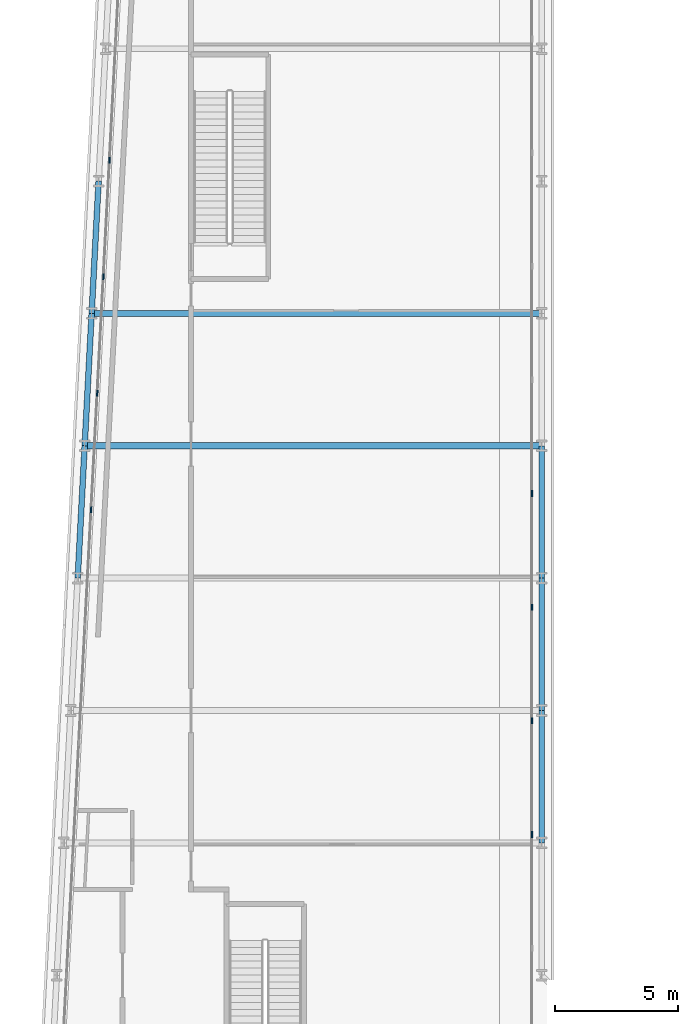
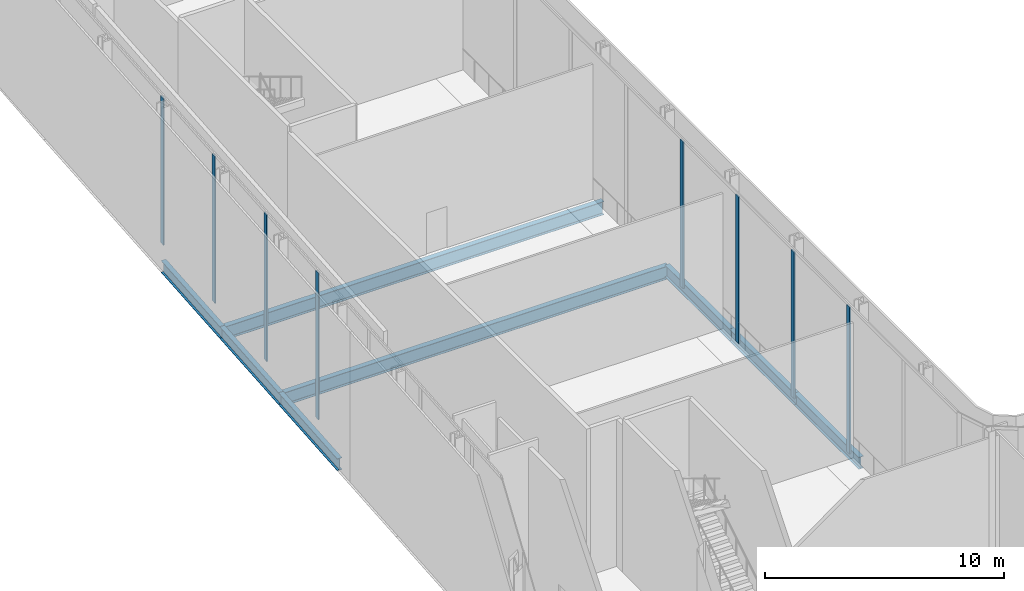
# One storey, part 12 of 36: 8 beams, 8 members, 2 elements without a shape of their own.
"""IFC4 building model written with IfcOpenShell, lengths in metres."""

from ifc_helpers import new_model, si_unit, direction, frame, origin, origin_2d, place, context, subcontext, project, spatial, rectangle, i_section, extrude, material, layer, layer_set, material_profile, profile_set, type_object, element, aggregate, save


model = new_model("IFC4")

# Units and contexts
model_context = context("Model", 3, precision=1e-05, world=origin(), true_north=direction((0.0, 1.0)))
body_context = subcontext(model_context, "Body", "Model", "MODEL_VIEW")
ifc_project = project(units=[si_unit("LENGTHUNIT", "METRE"), si_unit("AREAUNIT", "SQUARE_METRE"), si_unit("VOLUMEUNIT", "CUBIC_METRE"), si_unit("PLANEANGLEUNIT", "RADIAN"), si_unit("MASSUNIT", "GRAM", prefix="KILO")], contexts=[model_context])

# Site, building, storey
site_placement = place(None, origin())
site = spatial("IfcSite", under=ifc_project, at=site_placement, CompositionType="ELEMENT")
building_placement = place(site_placement, origin())
building = spatial("IfcBuilding", under=site, at=building_placement, Name="Kheshtan School and Residences Tower", CompositionType="ELEMENT")
storey_placement = place(building_placement, frame((0.0, 0.0, 81.199951171875)))
storey = spatial("IfcBuildingStorey", under=building, at=storey_placement, Name="L19", CompositionType="ELEMENT", Elevation=81.199951171875)

# Beams
ifc_material_1 = material(Name="Steel ASTM A992 Grade 50", Category="steel")
ifc_material_profile_1 = material_profile(ifc_material_1, i_section(OverallWidth=0.2529296875, OverallDepth=0.677978515625, WebThickness=0.01171875, FlangeThickness=0.016357421875, FilletRadius=0.0146484375, at=origin_2d()), Name="W690x125")
ifc_profile_set_1 = profile_set([ifc_material_profile_1], Name="Steel ASTM A992 Grade 50")
beam_type_1 = type_object("IfcBeamType", Name="Beam FB6 W690x125 ASTM A992 Grade 50", PredefinedType="BEAM", material=ifc_profile_set_1)
beam_1_placement = place(storey_placement, frame((47.60009765625, 72.60009765625, -0.489013671875), z_axis=(-1.0, 0.0, 0.0), x_axis=(0.0, -1.0, 0.0)))
element("IfcBeam", 1, at=beam_1_placement, inside=storey, type_object=beam_type_1, Name="Floor beam C087", PredefinedType="BEAM", context=body_context, shape_type="SweptSolid", body=[
    extrude(i_section(OverallWidth=0.2529296875, OverallDepth=0.677978515625, WebThickness=0.01171875, FlangeThickness=0.016357421875, FilletRadius=0.0146484375, at=origin_2d()), origin(), (0.0, 0.0, 1.0), 18.64208984375),
])
beam_2_placement = place(storey_placement, frame((29.242919921875, 78.0, -0.489013671875), z_axis=(1.0, 0.0, 0.0), x_axis=(0.0, 1.0, 0.0)))
element("IfcBeam", 2, at=beam_2_placement, inside=storey, type_object=beam_type_1, Name="Floor beam C088", PredefinedType="BEAM", context=body_context, shape_type="SweptSolid", body=[
    extrude(i_section(OverallWidth=0.2529296875, OverallDepth=0.677978515625, WebThickness=0.01171875, FlangeThickness=0.016357421875, FilletRadius=0.0146484375, at=origin_2d()), origin(), (0.0, 0.0, 1.0), 18.357177734375),
])
ifc_material_profile_2 = material_profile(ifc_material_1, i_section(OverallWidth=0.22998046875, OverallDepth=0.616943359375, WebThickness=0.01318359375, FlangeThickness=0.022216796875, FilletRadius=0.0185546875, at=origin_2d()), Name="W610x140")
ifc_profile_set_2 = profile_set([ifc_material_profile_2], Name="Steel ASTM A992 Grade 50")
beam_type_2 = type_object("IfcBeamType", Name="Beam SP1 W610x140 ASTM A992 Grade 50", PredefinedType="BEAM", material=ifc_profile_set_2)
beam_3_placement = place(storey_placement, frame((47.60009765625, 72.60009765625, -0.45849609375), z_axis=(0.0, -1.0, 0.0), x_axis=(1.0, 0.0, 0.0)))
element("IfcBeam", 3, at=beam_3_placement, inside=storey, type_object=beam_type_2, Name="Spandrel beam C087-C085", PredefinedType="BEAM", context=body_context, shape_type="SweptSolid", body=[
    extrude(i_section(OverallWidth=0.22998046875, OverallDepth=0.616943359375, WebThickness=0.01318359375, FlangeThickness=0.022216796875, FilletRadius=0.0185546875, at=origin_2d()), origin(), (0.0, 0.0, 1.0), 5.400146484375),
])
beam_4_placement = place(storey_placement, frame((47.60009765625, 67.199951171875, -0.45849609375), z_axis=(0.0, -1.0, 0.0), x_axis=(1.0, 0.0, 0.0)))
element("IfcBeam", 4, at=beam_4_placement, inside=storey, type_object=beam_type_2, Name="Spandrel beam C085-C083", PredefinedType="BEAM", context=body_context, shape_type="SweptSolid", body=[
    extrude(i_section(OverallWidth=0.22998046875, OverallDepth=0.616943359375, WebThickness=0.01318359375, FlangeThickness=0.022216796875, FilletRadius=0.0185546875, at=origin_2d()), origin(), (0.0, 0.0, 1.0), 5.39990234375),
])
beam_5_placement = place(storey_placement, frame((47.60009765625, 61.800048828125, -0.45849609375), z_axis=(0.0, -1.0, 0.0), x_axis=(1.0, 0.0, 0.0)))
element("IfcBeam", 5, at=beam_5_placement, inside=storey, type_object=beam_type_2, Name="Spandrel beam C083-C081", PredefinedType="BEAM", context=body_context, shape_type="SweptSolid", body=[
    extrude(i_section(OverallWidth=0.22998046875, OverallDepth=0.616943359375, WebThickness=0.01318359375, FlangeThickness=0.022216796875, FilletRadius=0.0185546875, at=origin_2d()), origin(), (0.0, 0.0, 1.0), 5.400146484375),
])
beam_6_placement = place(storey_placement, frame((28.674072265625, 67.199951171875, -0.45849609375), z_axis=(0.05250670125, 0.998620571751, 0.0), x_axis=(-0.998620571751, 0.05250670125, 0.0)))
element("IfcBeam", 6, at=beam_6_placement, inside=storey, type_object=beam_type_2, Name="Spandrel beam C084-C086", PredefinedType="BEAM", context=body_context, shape_type="SweptSolid", body=[
    extrude(i_section(OverallWidth=0.22998046875, OverallDepth=0.616943359375, WebThickness=0.01318359375, FlangeThickness=0.022216796875, FilletRadius=0.0185546875, at=origin_2d()), origin(), (0.0, 0.0, 1.0), 5.40771484375),
])
for number, where, z_axis, x_axis, name in (
    (7, (28.9580078125, 72.60009765625, -0.45849609375), (0.052689166816, 0.998610961136, 0.0), (-0.998610961136, 0.052689166816, 0.0), "Spandrel beam C086-C088"),
    (8, (29.242919921875, 78.0, -0.45849609375), (0.052554093665, 0.998618078766, 0.0), (-0.998618078766, 0.052554093665, 0.0), "Spandrel beam C088-C090"),
):
    element("IfcBeam", number, at=place(storey_placement, frame(where, z_axis=z_axis, x_axis=x_axis)), inside=storey, type_object=beam_type_2, Name=name, PredefinedType="BEAM", context=body_context, shape_type="SweptSolid", body=[
        extrude(i_section(OverallWidth=0.22998046875, OverallDepth=0.616943359375, WebThickness=0.01318359375, FlangeThickness=0.022216796875, FilletRadius=0.0185546875, at=origin_2d()), origin(), (0.0, 0.0, 1.0), 5.407470703125),
    ])

# Curtain wall, members
ifc_material_2 = material(Name="Clear low-e glass in thermally broken aluminium frame", Category="aluminium")
ifc_layer = layer(ifc_material_2, 0.25)
ifc_layer_set = layer_set([ifc_layer], Name="Curtain wall CW-K")
curtain_wall_type = type_object("IfcCurtainWallType", Name="Curtain wall CW-K", PredefinedType="NOTDEFINED", material=ifc_layer_set)
curtain_wall_1_placement = place(storey_placement, origin())
curtain_wall_1 = element("IfcCurtainWall", 9, at=curtain_wall_1_placement, inside=storey, type_object=curtain_wall_type, Name="Curtain wall CWK18", PredefinedType="NOTDEFINED")
ifc_material_3 = material(Name="Thermally broken aluminium, dark bronze anodised", Category="aluminium")
ifc_material_profile_3 = material_profile(ifc_material_3, rectangle(XDim=0.06005859375, YDim=0.25, at=origin_2d()), Name="CW-K mullion 60x250")
ifc_profile_set_3 = profile_set([ifc_material_profile_3], Name="Thermally broken aluminium, dark bronze anodised")
member_type = type_object("IfcMemberType", Name="CW-K mullion 60x250", PredefinedType="MULLION", material=ifc_profile_set_3)
member_1_placement = place(storey_placement, frame((29.22119140625, 69.993408203125, 0.0), z_axis=(0.0, 0.0, 1.0), x_axis=(-0.998617497599, 0.05256513568, 0.0)))
member_1 = element("IfcMember", 10, at=member_1_placement, type_object=member_type, Name="CWK18 mullion 9", PredefinedType="MULLION", context=body_context, shape_type="SweptSolid", body=[
    extrude(rectangle(XDim=0.06005859375, YDim=0.25, at=origin_2d()), origin(), (0.0, 0.0, 1.0), 7.489990234375),
])
member_2_placement = place(storey_placement, frame((29.471435546875, 74.74560546875, 0.0), z_axis=(0.0, 0.0, 1.0), x_axis=(-0.998617497599, 0.05256513568, 0.0)))
member_2 = element("IfcMember", 11, at=member_2_placement, type_object=member_type, Name="CWK18 mullion 10", PredefinedType="MULLION", context=body_context, shape_type="SweptSolid", body=[
    extrude(rectangle(XDim=0.06005859375, YDim=0.25, at=origin_2d()), origin(), (0.0, 0.0, 1.0), 7.489990234375),
])
member_3_placement = place(storey_placement, frame((29.7216796875, 79.497802734375, 0.0), z_axis=(0.0, 0.0, 1.0), x_axis=(-0.998617497599, 0.05256513568, 0.0)))
member_3 = element("IfcMember", 12, at=member_3_placement, type_object=member_type, Name="CWK18 mullion 11", PredefinedType="MULLION", context=body_context, shape_type="SweptSolid", body=[
    extrude(rectangle(XDim=0.06005859375, YDim=0.25, at=origin_2d()), origin(), (0.0, 0.0, 1.0), 7.489990234375),
])
member_4_placement = place(storey_placement, frame((29.9716796875, 84.249755859375, 0.0), z_axis=(0.0, 0.0, 1.0), x_axis=(-0.998617497599, 0.05256513568, 0.0)))
member_4 = element("IfcMember", 13, at=member_4_placement, type_object=member_type, Name="CWK18 mullion 12", PredefinedType="MULLION", context=body_context, shape_type="SweptSolid", body=[
    extrude(rectangle(XDim=0.06005859375, YDim=0.25, at=origin_2d()), origin(), (0.0, 0.0, 1.0), 7.489990234375),
])
aggregate(curtain_wall_1, [member_1, member_2, member_3, member_4])

curtain_wall_2_placement = place(storey_placement, origin())
curtain_wall_2 = element("IfcCurtainWall", 14, at=curtain_wall_2_placement, inside=storey, type_object=curtain_wall_type, Name="Curtain wall CWK24", PredefinedType="NOTDEFINED")
member_5_placement = place(storey_placement, frame((47.199951171875, 70.6513671875, 0.0), z_axis=(0.0, 0.0, 1.0), x_axis=(1.0, 0.0, 0.0)))
member_5 = element("IfcMember", 15, at=member_5_placement, type_object=member_type, Name="CWK24 mullion 7", PredefinedType="MULLION", context=body_context, shape_type="SweptSolid", body=[
    extrude(rectangle(XDim=0.06005859375, YDim=0.25, at=origin_2d()), origin(), (0.0, 0.0, 1.0), 7.489990234375),
])
member_6_placement = place(storey_placement, frame((47.199951171875, 66.014892578125, 0.0), z_axis=(0.0, 0.0, 1.0), x_axis=(1.0, 0.0, 0.0)))
member_6 = element("IfcMember", 16, at=member_6_placement, type_object=member_type, Name="CWK24 mullion 8", PredefinedType="MULLION", context=body_context, shape_type="SweptSolid", body=[
    extrude(rectangle(XDim=0.06005859375, YDim=0.25, at=origin_2d()), origin(), (0.0, 0.0, 1.0), 7.489990234375),
])
member_7_placement = place(storey_placement, frame((47.199951171875, 61.37841796875, 0.0), z_axis=(0.0, 0.0, 1.0), x_axis=(1.0, 0.0, 0.0)))
member_7 = element("IfcMember", 17, at=member_7_placement, type_object=member_type, Name="CWK24 mullion 9", PredefinedType="MULLION", context=body_context, shape_type="SweptSolid", body=[
    extrude(rectangle(XDim=0.06005859375, YDim=0.25, at=origin_2d()), origin(), (0.0, 0.0, 1.0), 7.489990234375),
])
member_8_placement = place(storey_placement, frame((47.199951171875, 56.741943359375, 0.0), z_axis=(0.0, 0.0, 1.0), x_axis=(1.0, 0.0, 0.0)))
member_8 = element("IfcMember", 18, at=member_8_placement, type_object=member_type, Name="CWK24 mullion 10", PredefinedType="MULLION", context=body_context, shape_type="SweptSolid", body=[
    extrude(rectangle(XDim=0.06005859375, YDim=0.25, at=origin_2d()), origin(), (0.0, 0.0, 1.0), 7.489990234375),
])
aggregate(curtain_wall_2, [member_5, member_6, member_7, member_8])

save(model, "model.ifc")
